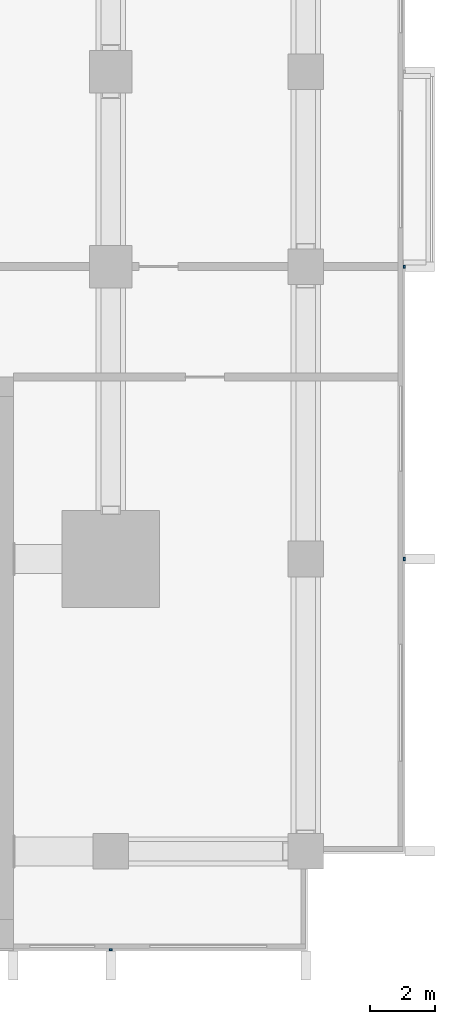
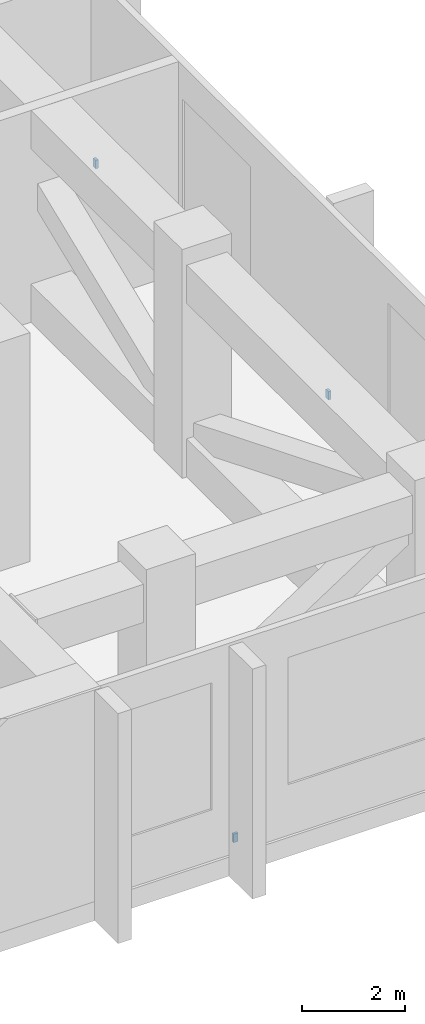
# One storey, part 8 of 13: 3 discrete accessories.
"""IFC4 building model written with IfcOpenShell, lengths in metres."""

from ifc_helpers import new_model, si_unit, direction, frame, origin, origin_2d, place, context, subcontext, project, spatial, rectangle, extrude, material, type_object, element, save


model = new_model("IFC4")

# Units and contexts
model_context = context("Model", 3, precision=1e-05, world=origin(), true_north=direction((0.0, 1.0)))
body_context = subcontext(model_context, "Body", "Model", "MODEL_VIEW")
ifc_project = project(units=[si_unit("LENGTHUNIT", "METRE"), si_unit("AREAUNIT", "SQUARE_METRE"), si_unit("VOLUMEUNIT", "CUBIC_METRE"), si_unit("PLANEANGLEUNIT", "RADIAN"), si_unit("MASSUNIT", "GRAM", prefix="KILO")], contexts=[model_context])

# Site, building, storey
site_placement = place(None, origin())
site = spatial("IfcSite", under=ifc_project, at=site_placement, CompositionType="ELEMENT")
building_placement = place(site_placement, origin())
building = spatial("IfcBuilding", under=site, at=building_placement, Name="Finial Court Residences", CompositionType="ELEMENT")
storey_placement = place(building_placement, frame((0.0, 0.0, 75.699951171875)))
storey = spatial("IfcBuildingStorey", under=building, at=storey_placement, Name="L18", CompositionType="ELEMENT", Elevation=75.699951171875)

# Discrete accessories
ifc_material = material(Name="Stainless steel 316", Category="steel")
discrete_accessory_type = type_object("IfcDiscreteAccessoryType", Name="Fin bracket, stainless steel 100 x 60 x 200", PredefinedType="BRACKET", material=ifc_material)
for number, where, z_axis, x_axis, name in (
    (1, (25.530029296875, -13.5, 0.30029296875), (0.0, 0.0, 1.0), (1.0, 0.0, 0.0), "E-L18-FIN-E10-BRK"),
    (2, (25.530029296875, -4.5, 0.30029296875), (0.0, 0.0, 1.0), (1.0, 0.0, 0.0), "E-L18-FIN-E11-BRK"),
):
    element("IfcDiscreteAccessory", number, at=place(storey_placement, frame(where, z_axis=z_axis, x_axis=x_axis)), inside=storey, type_object=discrete_accessory_type, Name=name, PredefinedType="BRACKET", context=body_context, shape_type="SweptSolid", body=[
        extrude(rectangle(XDim=0.06005859375, YDim=0.10009765625, at=origin_2d()), origin(), (0.0, 0.0, 1.0), 0.199951171875),
    ])
discrete_accessory_placement = place(storey_placement, frame((16.5, -25.530029296875, 0.30029296875), z_axis=(0.0, 0.0, 1.0), x_axis=(1.0, 0.0, 0.0)))
element("IfcDiscreteAccessory", 3, at=discrete_accessory_placement, inside=storey, type_object=discrete_accessory_type, Name="E-L18-FIN-S25-BRK", PredefinedType="BRACKET", context=body_context, shape_type="SweptSolid", body=[
    extrude(rectangle(XDim=0.10009765625, YDim=0.06005859375, at=origin_2d()), origin(), (0.0, 0.0, 1.0), 0.199951171875),
])

save(model, "model.ifc")
